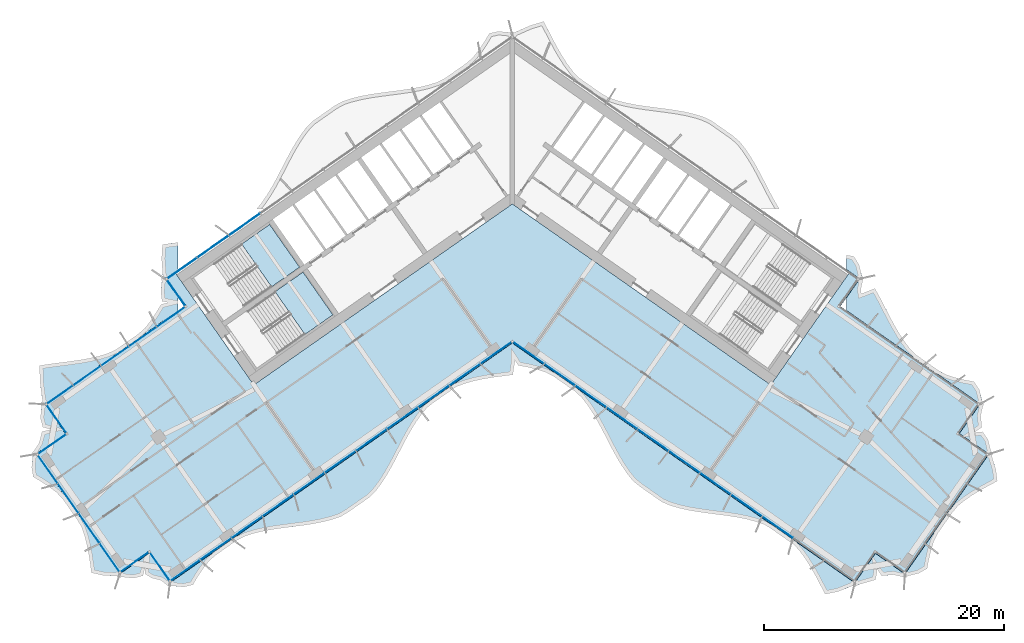
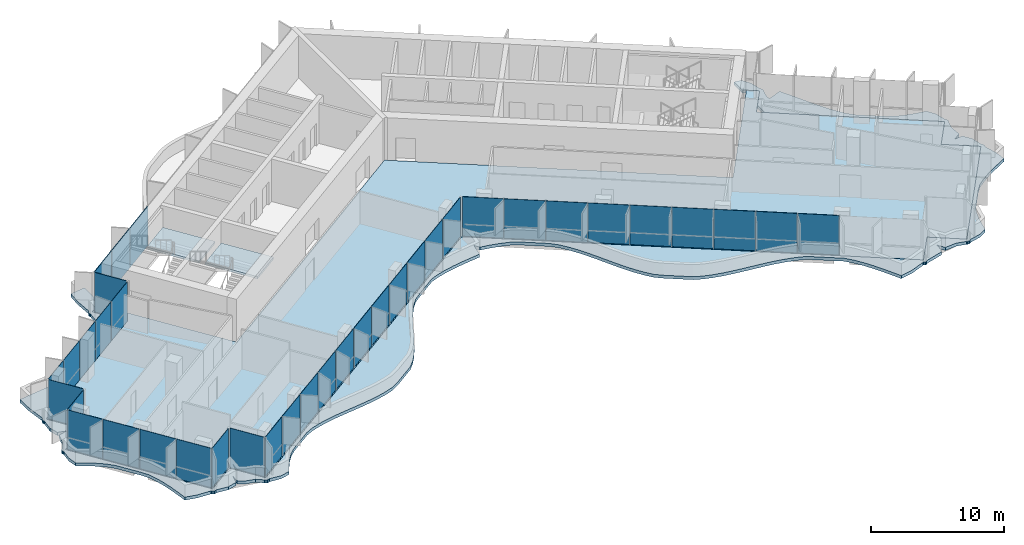
# One storey, part 10 of 22: 37 plates, 4 slabs, 4 elements without a shape of their own.
"""IFC4 building model written with IfcOpenShell, lengths in metres."""

from ifc_helpers import new_model, si_unit, direction, frame, origin, origin_2d, place, context, subcontext, project, spatial, polyline, rectangle, outline, extrude, material, layer, layer_set, type_object, element, aggregate, save


model = new_model("IFC4")

# Units and contexts
model_context = context("Model", 3, precision=1e-05, world=origin(), true_north=direction((0.0, 1.0)))
body_context = subcontext(model_context, "Body", "Model", "MODEL_VIEW")
ifc_project = project(units=[si_unit("LENGTHUNIT", "METRE"), si_unit("AREAUNIT", "SQUARE_METRE"), si_unit("VOLUMEUNIT", "CUBIC_METRE"), si_unit("PLANEANGLEUNIT", "RADIAN"), si_unit("MASSUNIT", "GRAM", prefix="KILO")], contexts=[model_context])

# Site, building, storey
site_placement = place(None, origin())
site = spatial("IfcSite", under=ifc_project, at=site_placement, CompositionType="ELEMENT")
building_placement = place(site_placement, origin())
building = spatial("IfcBuilding", under=site, at=building_placement, Name="Tel Ilan Convention Tower", CompositionType="ELEMENT")
storey_placement = place(building_placement, frame((0.0, 0.0, 135.89990234375)))
storey = spatial("IfcBuildingStorey", under=building, at=storey_placement, Name="L30", CompositionType="ELEMENT", Elevation=135.89990234375)

# Curtain wall, plates
ifc_material_1 = material(Name="Aluminium, bronze anodised", Category="aluminium")
curtain_wall_type_1 = type_object("IfcCurtainWallType", Name="CW4 STICK CURTAIN WALL, OFFICE TINTED GLASS", PredefinedType="NOTDEFINED", material=ifc_material_1)
curtain_wall_1_placement = place(storey_placement, origin())
curtain_wall_1 = element("IfcCurtainWall", 1, at=curtain_wall_1_placement, inside=storey, type_object=curtain_wall_type_1, Name="Curtain wall CW4-24.02", PredefinedType="NOTDEFINED")
ifc_material_2 = material(Name="Glass, bronze tinted, two-ply", Category="glass")
ifc_layer_1 = layer(ifc_material_2, 0.028076171875)
ifc_layer_set_1 = layer_set([ifc_layer_1], Name="CW GLASS PANEL 28")
plate_type_1 = type_object("IfcPlateType", Name="CW GLASS PANEL 28", PredefinedType="CURTAIN_PANEL", material=ifc_layer_set_1)
plate_1_placement = place(storey_placement, frame((-28.44677734375, -10.640625, 0.0), z_axis=(0.0, 0.0, 1.0), x_axis=(-0.819152044289, -0.573576436351, 0.0)))
plate_1 = element("IfcPlate", 2, at=plate_1_placement, type_object=plate_type_1, Name="Glass panel", PredefinedType="CURTAIN_PANEL", context=body_context, shape_type="SweptSolid", body=[
    extrude(rectangle(XDim=2.80908203125, YDim=0.028076171875, at=origin_2d()), origin(), (0.0, 0.0, 1.0), 3.6201171875),
])
plate_2_placement = place(storey_placement, frame((-30.784912109375, -12.278076171875, 0.0), z_axis=(0.0, 0.0, 1.0), x_axis=(-0.819152044289, -0.573576436351, 0.0)))
plate_2 = element("IfcPlate", 3, at=plate_2_placement, type_object=plate_type_1, Name="Glass panel", PredefinedType="CURTAIN_PANEL", context=body_context, shape_type="SweptSolid", body=[
    extrude(rectangle(XDim=2.780029296875, YDim=0.028076171875, at=origin_2d()), origin(), (0.0, 0.0, 1.0), 3.6201171875),
])
plate_3_placement = place(storey_placement, frame((-33.111328125, -13.906982421875, 0.0), z_axis=(0.0, 0.0, 1.0), x_axis=(-0.819152044289, -0.573576436351, 0.0)))
plate_3 = element("IfcPlate", 4, at=plate_3_placement, type_object=plate_type_1, Name="Glass panel", PredefinedType="CURTAIN_PANEL", context=body_context, shape_type="SweptSolid", body=[
    extrude(rectangle(XDim=2.780029296875, YDim=0.028076171875, at=origin_2d()), origin(), (0.0, 0.0, 1.0), 3.6201171875),
])
plate_4_placement = place(storey_placement, frame((-35.437744140625, -15.535888671875, 0.0), z_axis=(0.0, 0.0, 1.0), x_axis=(-0.819152044289, -0.573576436351, 0.0)))
plate_4 = element("IfcPlate", 5, at=plate_4_placement, type_object=plate_type_1, Name="Glass panel", PredefinedType="CURTAIN_PANEL", context=body_context, shape_type="SweptSolid", body=[
    extrude(rectangle(XDim=2.780029296875, YDim=0.028076171875, at=origin_2d()), origin(), (0.0, 0.0, 1.0), 3.6201171875),
])
plate_5_placement = place(storey_placement, frame((-37.7255859375, -17.137939453125, 0.0), z_axis=(0.0, 0.0, 1.0), x_axis=(-0.819152044289, -0.573576436351, 0.0)))
plate_5 = element("IfcPlate", 6, at=plate_5_placement, type_object=plate_type_1, Name="Glass panel", PredefinedType="CURTAIN_PANEL", context=body_context, shape_type="SweptSolid", body=[
    extrude(rectangle(XDim=2.68603515625, YDim=0.028076171875, at=origin_2d()), origin(), (0.0, 0.0, 1.0), 3.6201171875),
])
plate_6_placement = place(storey_placement, frame((-38.007080078125, -19.119140625, 0.0), z_axis=(0.0, 0.0, 1.0), x_axis=(0.573576436351, -0.819152044289, 0.0)))
plate_6 = element("IfcPlate", 7, at=plate_6_placement, type_object=plate_type_1, Name="Glass panel", PredefinedType="CURTAIN_PANEL", context=body_context, shape_type="SweptSolid", body=[
    extrude(rectangle(XDim=2.875, YDim=0.028076171875, at=origin_2d()), origin(), (0.0, 0.0, 1.0), 3.6201171875),
])
plate_7_placement = place(storey_placement, frame((-38.385009765625, -21.261962890625, 0.0), z_axis=(0.0, 0.0, 1.0), x_axis=(-0.819152044289, -0.573576436351, 0.0)))
plate_7 = element("IfcPlate", 8, at=plate_7_placement, type_object=plate_type_1, Name="Glass panel", PredefinedType="CURTAIN_PANEL", context=body_context, shape_type="SweptSolid", body=[
    extrude(rectangle(XDim=2.875, YDim=0.028076171875, at=origin_2d()), origin(), (0.0, 0.0, 1.0), 3.6201171875),
])
plate_8_placement = place(storey_placement, frame((-38.73779296875, -23.305908203125, 0.0), z_axis=(0.0, 0.0, 1.0), x_axis=(0.573576436351, -0.819152044289, 0.0)))
plate_8 = element("IfcPlate", 9, at=plate_8_placement, type_object=plate_type_1, Name="Glass panel", PredefinedType="CURTAIN_PANEL", context=body_context, shape_type="SweptSolid", body=[
    extrude(rectangle(XDim=2.89599609375, YDim=0.028076171875, at=origin_2d()), origin(), (0.0, 0.0, 1.0), 3.6201171875),
])
plate_9_placement = place(storey_placement, frame((-37.015380859375, -25.765869140625, 0.0), z_axis=(0.0, 0.0, 1.0), x_axis=(0.573576436351, -0.819152044289, 0.0)))
plate_9 = element("IfcPlate", 10, at=plate_9_placement, type_object=plate_type_1, Name="Glass panel", PredefinedType="CURTAIN_PANEL", context=body_context, shape_type="SweptSolid", body=[
    extrude(rectangle(XDim=2.989990234375, YDim=0.028076171875, at=origin_2d()), origin(), (0.0, 0.0, 1.0), 3.6201171875),
])
plate_10_placement = place(storey_placement, frame((-35.26611328125, -28.264404296875, 0.0), z_axis=(0.0, 0.0, 1.0), x_axis=(0.573576436351, -0.819152044289, 0.0)))
plate_10 = element("IfcPlate", 11, at=plate_10_placement, type_object=plate_type_1, Name="Glass panel", PredefinedType="CURTAIN_PANEL", context=body_context, shape_type="SweptSolid", body=[
    extrude(rectangle(XDim=2.989990234375, YDim=0.028076171875, at=origin_2d()), origin(), (0.0, 0.0, 1.0), 3.6201171875),
])
plate_11_placement = place(storey_placement, frame((-33.543701171875, -30.72412109375, 0.0), z_axis=(0.0, 0.0, 1.0), x_axis=(0.573576436351, -0.819152044289, 0.0)))
plate_11 = element("IfcPlate", 12, at=plate_11_placement, type_object=plate_type_1, Name="Glass panel", PredefinedType="CURTAIN_PANEL", context=body_context, shape_type="SweptSolid", body=[
    extrude(rectangle(XDim=2.89599609375, YDim=0.028076171875, at=origin_2d()), origin(), (0.0, 0.0, 1.0), 3.6201171875),
])
plate_12_placement = place(storey_placement, frame((-31.502197265625, -31.091796875, 0.0), z_axis=(0.0, 0.0, 1.0), x_axis=(0.819152044289, 0.573576436351, 0.0)))
plate_12 = element("IfcPlate", 13, at=plate_12_placement, type_object=plate_type_1, Name="Glass panel", PredefinedType="CURTAIN_PANEL", context=body_context, shape_type="SweptSolid", body=[
    extrude(rectangle(XDim=2.875, YDim=0.028076171875, at=origin_2d()), origin(), (0.0, 0.0, 1.0), 3.6201171875),
])
plate_13_placement = place(storey_placement, frame((-29.359375, -31.469482421875, 0.0), z_axis=(0.0, 0.0, 1.0), x_axis=(0.573576436351, -0.819152044289, 0.0)))
plate_13 = element("IfcPlate", 14, at=plate_13_placement, type_object=plate_type_1, Name="Glass panel", PredefinedType="CURTAIN_PANEL", context=body_context, shape_type="SweptSolid", body=[
    extrude(rectangle(XDim=2.875, YDim=0.028076171875, at=origin_2d()), origin(), (0.0, 0.0, 1.0), 3.6201171875),
])
plate_14_placement = place(storey_placement, frame((-27.26708984375, -31.78857421875, 0.0), z_axis=(0.0, 0.0, 1.0), x_axis=(0.819152044289, 0.573576436351, 0.0)))
plate_14 = element("IfcPlate", 15, at=plate_14_placement, type_object=plate_type_1, Name="Glass panel", PredefinedType="CURTAIN_PANEL", context=body_context, shape_type="SweptSolid", body=[
    extrude(rectangle(XDim=3.013916015625, YDim=0.028076171875, at=origin_2d()), origin(), (0.0, 0.0, 1.0), 3.6201171875),
])
plate_15_placement = place(storey_placement, frame((-24.71044921875, -29.99853515625, 0.0), z_axis=(0.0, 0.0, 1.0), x_axis=(0.819152044289, 0.573576436351, 0.0)))
plate_15 = element("IfcPlate", 16, at=plate_15_placement, type_object=plate_type_1, Name="Glass panel", PredefinedType="CURTAIN_PANEL", context=body_context, shape_type="SweptSolid", body=[
    extrude(rectangle(XDim=3.10791015625, YDim=0.028076171875, at=origin_2d()), origin(), (0.0, 0.0, 1.0), 3.6201171875),
])
plate_16_placement = place(storey_placement, frame((-22.115478515625, -28.181396484375, 0.0), z_axis=(0.0, 0.0, 1.0), x_axis=(0.819152044289, 0.573576436351, 0.0)))
plate_16 = element("IfcPlate", 17, at=plate_16_placement, type_object=plate_type_1, Name="Glass panel", PredefinedType="CURTAIN_PANEL", context=body_context, shape_type="SweptSolid", body=[
    extrude(rectangle(XDim=3.10791015625, YDim=0.028076171875, at=origin_2d()), origin(), (0.0, 0.0, 1.0), 3.6201171875),
])
plate_17_placement = place(storey_placement, frame((-19.520263671875, -26.3642578125, 0.0), z_axis=(0.0, 0.0, 1.0), x_axis=(0.819152044289, 0.573576436351, 0.0)))
plate_17 = element("IfcPlate", 18, at=plate_17_placement, type_object=plate_type_1, Name="Glass panel", PredefinedType="CURTAIN_PANEL", context=body_context, shape_type="SweptSolid", body=[
    extrude(rectangle(XDim=3.10791015625, YDim=0.028076171875, at=origin_2d()), origin(), (0.0, 0.0, 1.0), 3.6201171875),
])
plate_18_placement = place(storey_placement, frame((-16.92529296875, -24.54736328125, 0.0), z_axis=(0.0, 0.0, 1.0), x_axis=(0.819152044289, 0.573576436351, 0.0)))
plate_18 = element("IfcPlate", 19, at=plate_18_placement, type_object=plate_type_1, Name="Glass panel", PredefinedType="CURTAIN_PANEL", context=body_context, shape_type="SweptSolid", body=[
    extrude(rectangle(XDim=3.10791015625, YDim=0.028076171875, at=origin_2d()), origin(), (0.0, 0.0, 1.0), 3.6201171875),
])
plate_19_placement = place(storey_placement, frame((-14.330078125, -22.730224609375, 0.0), z_axis=(0.0, 0.0, 1.0), x_axis=(0.819152044289, 0.573576436351, 0.0)))
plate_19 = element("IfcPlate", 20, at=plate_19_placement, type_object=plate_type_1, Name="Glass panel", PredefinedType="CURTAIN_PANEL", context=body_context, shape_type="SweptSolid", body=[
    extrude(rectangle(XDim=3.10791015625, YDim=0.028076171875, at=origin_2d()), origin(), (0.0, 0.0, 1.0), 3.6201171875),
])
plate_20_placement = place(storey_placement, frame((-11.735107421875, -20.9130859375, 0.0), z_axis=(0.0, 0.0, 1.0), x_axis=(0.819152044289, 0.573576436351, 0.0)))
plate_20 = element("IfcPlate", 21, at=plate_20_placement, type_object=plate_type_1, Name="Glass panel", PredefinedType="CURTAIN_PANEL", context=body_context, shape_type="SweptSolid", body=[
    extrude(rectangle(XDim=3.10791015625, YDim=0.028076171875, at=origin_2d()), origin(), (0.0, 0.0, 1.0), 3.6201171875),
])
plate_21_placement = place(storey_placement, frame((-9.14013671875, -19.095947265625, 0.0), z_axis=(0.0, 0.0, 1.0), x_axis=(0.819152044289, 0.573576436351, 0.0)))
plate_21 = element("IfcPlate", 22, at=plate_21_placement, type_object=plate_type_1, Name="Glass panel", PredefinedType="CURTAIN_PANEL", context=body_context, shape_type="SweptSolid", body=[
    extrude(rectangle(XDim=3.10791015625, YDim=0.028076171875, at=origin_2d()), origin(), (0.0, 0.0, 1.0), 3.6201171875),
])
plate_22_placement = place(storey_placement, frame((-6.544921875, -17.27880859375, 0.0), z_axis=(0.0, 0.0, 1.0), x_axis=(0.819152044289, 0.573576436351, 0.0)))
plate_22 = element("IfcPlate", 23, at=plate_22_placement, type_object=plate_type_1, Name="Glass panel", PredefinedType="CURTAIN_PANEL", context=body_context, shape_type="SweptSolid", body=[
    extrude(rectangle(XDim=3.10791015625, YDim=0.028076171875, at=origin_2d()), origin(), (0.0, 0.0, 1.0), 3.6201171875),
])
plate_23_placement = place(storey_placement, frame((-3.949951171875, -15.4619140625, 0.0), z_axis=(0.0, 0.0, 1.0), x_axis=(0.819152044289, 0.573576436351, 0.0)))
plate_23 = element("IfcPlate", 24, at=plate_23_placement, type_object=plate_type_1, Name="Glass panel", PredefinedType="CURTAIN_PANEL", context=body_context, shape_type="SweptSolid", body=[
    extrude(rectangle(XDim=3.10791015625, YDim=0.028076171875, at=origin_2d()), origin(), (0.0, 0.0, 1.0), 3.6201171875),
])
plate_24_placement = place(storey_placement, frame((-1.355224609375, -13.64501953125, 0.0), z_axis=(0.0, 0.0, 1.0), x_axis=(0.819152044289, 0.573576436351, 0.0)))
plate_24 = element("IfcPlate", 25, at=plate_24_placement, type_object=plate_type_1, Name="Glass panel", PredefinedType="CURTAIN_PANEL", context=body_context, shape_type="SweptSolid", body=[
    extrude(rectangle(XDim=3.10693359375, YDim=0.028076171875, at=origin_2d()), origin(), (0.0, 0.0, 1.0), 3.6201171875),
])
plate_25_placement = place(storey_placement, frame((1.366943359375, -13.653076171875, 0.0), z_axis=(0.0, 0.0, 1.0), x_axis=(0.819152044289, -0.573576436351, 0.0)))
plate_25 = element("IfcPlate", 26, at=plate_25_placement, type_object=plate_type_1, Name="Glass panel", PredefinedType="CURTAIN_PANEL", context=body_context, shape_type="SweptSolid", body=[
    extrude(rectangle(XDim=3.078857421875, YDim=0.028076171875, at=origin_2d()), origin(), (0.0, 0.0, 1.0), 3.6201171875),
])
plate_26_placement = place(storey_placement, frame((3.949951171875, -15.4619140625, 0.0), z_axis=(0.0, 0.0, 1.0), x_axis=(0.819152044289, -0.573576436351, 0.0)))
plate_26 = element("IfcPlate", 27, at=plate_26_placement, type_object=plate_type_1, Name="Glass panel", PredefinedType="CURTAIN_PANEL", context=body_context, shape_type="SweptSolid", body=[
    extrude(rectangle(XDim=3.10791015625, YDim=0.028076171875, at=origin_2d()), origin(), (0.0, 0.0, 1.0), 3.6201171875),
])
plate_27_placement = place(storey_placement, frame((6.544921875, -17.27880859375, 0.0), z_axis=(0.0, 0.0, 1.0), x_axis=(0.819152044289, -0.573576436351, 0.0)))
plate_27 = element("IfcPlate", 28, at=plate_27_placement, type_object=plate_type_1, Name="Glass panel", PredefinedType="CURTAIN_PANEL", context=body_context, shape_type="SweptSolid", body=[
    extrude(rectangle(XDim=3.10791015625, YDim=0.028076171875, at=origin_2d()), origin(), (0.0, 0.0, 1.0), 3.6201171875),
])
plate_28_placement = place(storey_placement, frame((9.14013671875, -19.095947265625, 0.0), z_axis=(0.0, 0.0, 1.0), x_axis=(0.819152044289, -0.573576436351, 0.0)))
plate_28 = element("IfcPlate", 29, at=plate_28_placement, type_object=plate_type_1, Name="Glass panel", PredefinedType="CURTAIN_PANEL", context=body_context, shape_type="SweptSolid", body=[
    extrude(rectangle(XDim=3.10791015625, YDim=0.028076171875, at=origin_2d()), origin(), (0.0, 0.0, 1.0), 3.6201171875),
])
plate_29_placement = place(storey_placement, frame((11.735107421875, -20.9130859375, 0.0), z_axis=(0.0, 0.0, 1.0), x_axis=(0.819152044289, -0.573576436351, 0.0)))
plate_29 = element("IfcPlate", 30, at=plate_29_placement, type_object=plate_type_1, Name="Glass panel", PredefinedType="CURTAIN_PANEL", context=body_context, shape_type="SweptSolid", body=[
    extrude(rectangle(XDim=3.10791015625, YDim=0.028076171875, at=origin_2d()), origin(), (0.0, 0.0, 1.0), 3.6201171875),
])
plate_30_placement = place(storey_placement, frame((14.330078125, -22.730224609375, 0.0), z_axis=(0.0, 0.0, 1.0), x_axis=(0.819152044289, -0.573576436351, 0.0)))
plate_30 = element("IfcPlate", 31, at=plate_30_placement, type_object=plate_type_1, Name="Glass panel", PredefinedType="CURTAIN_PANEL", context=body_context, shape_type="SweptSolid", body=[
    extrude(rectangle(XDim=3.10791015625, YDim=0.028076171875, at=origin_2d()), origin(), (0.0, 0.0, 1.0), 3.6201171875),
])
plate_31_placement = place(storey_placement, frame((16.92529296875, -24.54736328125, 0.0), z_axis=(0.0, 0.0, 1.0), x_axis=(0.819152044289, -0.573576436351, 0.0)))
plate_31 = element("IfcPlate", 32, at=plate_31_placement, type_object=plate_type_1, Name="Glass panel", PredefinedType="CURTAIN_PANEL", context=body_context, shape_type="SweptSolid", body=[
    extrude(rectangle(XDim=3.10791015625, YDim=0.028076171875, at=origin_2d()), origin(), (0.0, 0.0, 1.0), 3.6201171875),
])
plate_32_placement = place(storey_placement, frame((19.520263671875, -26.3642578125, 0.0), z_axis=(0.0, 0.0, 1.0), x_axis=(0.819152044289, -0.573576436351, 0.0)))
plate_32 = element("IfcPlate", 33, at=plate_32_placement, type_object=plate_type_1, Name="Glass panel", PredefinedType="CURTAIN_PANEL", context=body_context, shape_type="SweptSolid", body=[
    extrude(rectangle(XDim=3.10791015625, YDim=0.028076171875, at=origin_2d()), origin(), (0.0, 0.0, 1.0), 3.6201171875),
])
plate_33_placement = place(storey_placement, frame((22.115478515625, -28.181396484375, 0.0), z_axis=(0.0, 0.0, 1.0), x_axis=(0.819152044289, -0.573576436351, 0.0)))
plate_33 = element("IfcPlate", 34, at=plate_33_placement, type_object=plate_type_1, Name="Glass panel", PredefinedType="CURTAIN_PANEL", context=body_context, shape_type="SweptSolid", body=[
    extrude(rectangle(XDim=3.10791015625, YDim=0.028076171875, at=origin_2d()), origin(), (0.0, 0.0, 1.0), 3.6201171875),
])
aggregate(curtain_wall_1, [plate_1, plate_2, plate_3, plate_4, plate_5, plate_6, plate_7, plate_8, plate_9, plate_10, plate_11, plate_12, plate_13, plate_14, plate_15, plate_16, plate_17, plate_18, plate_19, plate_20, plate_21, plate_22, plate_23, plate_24, plate_25, plate_26, plate_27, plate_28, plate_29, plate_30, plate_31, plate_32, plate_33])

ifc_material_3 = material(Name="Aluminium, bronze anodised", Category="aluminium")
curtain_wall_type_2 = type_object("IfcCurtainWallType", Name="CW2 STICK CURTAIN WALL, SPANDREL PANELS", PredefinedType="NOTDEFINED", material=ifc_material_3)
curtain_wall_2_placement = place(storey_placement, origin())
curtain_wall_2 = element("IfcCurtainWall", 35, at=curtain_wall_2_placement, inside=storey, type_object=curtain_wall_type_2, Name="Curtain wall CW2-24.01", PredefinedType="NOTDEFINED")
ifc_material_4 = material(Name="Aluminium composite panel, bronze anodised", Category="aluminium")
ifc_layer_2 = layer(ifc_material_4, 0.06005859375)
ifc_layer_set_2 = layer_set([ifc_layer_2], Name="CW SPANDREL PANEL 60")
plate_type_2 = type_object("IfcPlateType", Name="CW SPANDREL PANEL 60", PredefinedType="CURTAIN_PANEL", material=ifc_layer_set_2)
plate_34_placement = place(storey_placement, frame((-22.31982421875, -2.9326171875, 0.0), z_axis=(0.0, 0.0, 1.0), x_axis=(-0.819152044289, -0.573576436351, 0.0)))
plate_34 = element("IfcPlate", 36, at=plate_34_placement, type_object=plate_type_2, Name="Spandrel panel", PredefinedType="CURTAIN_PANEL", context=body_context, shape_type="SweptSolid", body=[
    extrude(rectangle(XDim=3.15380859375, YDim=0.06005859375, at=origin_2d()), origin(), (0.0, 0.0, 1.0), 3.6201171875),
])
plate_35_placement = place(storey_placement, frame((-24.95263671875, -4.77587890625, 0.0), z_axis=(0.0, 0.0, 1.0), x_axis=(-0.819152044289, -0.573576436351, 0.0)))
plate_35 = element("IfcPlate", 37, at=plate_35_placement, type_object=plate_type_2, Name="Spandrel panel", PredefinedType="CURTAIN_PANEL", context=body_context, shape_type="SweptSolid", body=[
    extrude(rectangle(XDim=3.15380859375, YDim=0.06005859375, at=origin_2d()), origin(), (0.0, 0.0, 1.0), 3.6201171875),
])
plate_36_placement = place(storey_placement, frame((-27.5400390625, -6.587646484375, 0.0), z_axis=(0.0, 0.0, 1.0), x_axis=(-0.819152044289, -0.573576436351, 0.0)))
plate_36 = element("IfcPlate", 38, at=plate_36_placement, type_object=plate_type_2, Name="Spandrel panel", PredefinedType="CURTAIN_PANEL", context=body_context, shape_type="SweptSolid", body=[
    extrude(rectangle(XDim=3.0439453125, YDim=0.06005859375, at=origin_2d()), origin(), (0.0, 0.0, 1.0), 3.6201171875),
])
plate_37_placement = place(storey_placement, frame((-28.033935546875, -8.60546875, 0.0), z_axis=(0.0, 0.0, 1.0), x_axis=(0.573576436351, -0.819152044289, 0.0)))
plate_37 = element("IfcPlate", 39, at=plate_37_placement, type_object=plate_type_2, Name="Spandrel panel", PredefinedType="CURTAIN_PANEL", context=body_context, shape_type="SweptSolid", body=[
    extrude(rectangle(XDim=2.658935546875, YDim=0.06005859375, at=origin_2d()), origin(), (0.0, 0.0, 1.0), 3.6201171875),
])
aggregate(curtain_wall_2, [plate_34, plate_35, plate_36, plate_37])

# Stair, slab
ifc_material_5 = material(Name="Concrete C40/50", Category="concrete")
stair_type = type_object("IfcStairType", Name="Pressurised Exit Stair 22 risers 177 mm", PredefinedType="HALF_TURN_STAIR", material=ifc_material_5)
stair_1_placement = place(storey_placement, origin())
stair_1 = element("IfcStair", 40, at=stair_1_placement, inside=storey, type_object=stair_type, Name="L30 Pressurised Stair S1", PredefinedType="HALF_TURN_STAIR")
ifc_material_6 = material(Name="Concrete C40/50", Category="concrete")
ifc_layer_3 = layer(ifc_material_6, 0.199951171875)
ifc_layer_set_3 = layer_set([ifc_layer_3], Name="Concrete Stair Landing 200 mm C40/50")
slab_type_1 = type_object("IfcSlabType", Name="Concrete Stair Landing 200 mm", PredefinedType="LANDING", material=ifc_layer_set_3)
slab_1_placement = place(storey_placement, frame((0.0, 0.0, 1.75)))
slab_1 = element("IfcSlab", 41, at=slab_1_placement, type_object=slab_type_1, Name="S1 landing 1", PredefinedType="LANDING", context=body_context, shape_type="SweptSolid", body=[
    extrude(outline(polyline([(-20.066650390625, -8.130126953125), (-17.7314453125, -6.494873046875), (-20.226318359375, -2.931640625), (-22.561767578125, -4.566650390625), (-20.066650390625, -8.130126953125)])), origin(), (0.0, 0.0, 1.0), 0.2001953125),
])
aggregate(stair_1, [slab_1])

stair_2_placement = place(storey_placement, origin())
stair_2 = element("IfcStair", 42, at=stair_2_placement, inside=storey, type_object=stair_type, Name="L30 Pressurised Stair S2", PredefinedType="HALF_TURN_STAIR")
slab_2_placement = place(storey_placement, frame((0.0, 0.0, 1.75)))
slab_2 = element("IfcSlab", 43, at=slab_2_placement, type_object=slab_type_1, Name="S2 landing 1", PredefinedType="LANDING", context=body_context, shape_type="SweptSolid", body=[
    extrude(outline(polyline([(-17.28466796875, -12.10302734375), (-14.949462890625, -10.4677734375), (-17.444580078125, -6.904541015625), (-19.77978515625, -8.53955078125), (-17.28466796875, -12.10302734375)])), origin(), (0.0, 0.0, 1.0), 0.2001953125),
])
aggregate(stair_2, [slab_2])

# Slabs
ifc_material_7 = material(Name="Concrete C40/50", Category="concrete")
ifc_layer_4 = layer(ifc_material_7, 0.280029296875)
ifc_layer_set_4 = layer_set([ifc_layer_4], Name="Edge Ledge Slab 280 mm C40/50")
slab_type_2 = type_object("IfcSlabType", Name="Edge Ledge Slab 280 mm C40/50", PredefinedType="FLOOR", material=ifc_layer_set_4)
slab_3_placement = place(storey_placement, frame((0.0, 0.0, -0.27978515625)))
element("IfcSlab", 44, at=slab_3_placement, inside=storey, type_object=slab_type_2, Name="L30 edge ledge 1", PredefinedType="FLOOR", context=body_context, shape_type="SweptSolid", body=[
    extrude(outline(polyline([(-31.562744140625, -32.420166015625), (-32.5517578125, -32.31494140625), (-32.554931640625, -32.310302734375), (-32.60888671875, -32.346435546875), (-32.723876953125, -32.369384765625), (-32.838623046875, -32.346435546875), (-32.93603515625, -32.281494140625), (-32.96484375, -32.238037109375), (-32.969482421875, -32.241455078125), (-34.1298828125, -32.177734375), (-35.07666015625, -31.964599609375), (-35.189697265625, -31.16748046875), (-35.312744140625, -30.377685546875), (-35.46484375, -29.608154296875), (-35.656982421875, -28.86669921875), (-35.8984375, -28.15966796875), (-36.2626953125, -27.53857421875), (-37.49755859375, -25.77490234375), (-38.006591796875, -25.25537109375), (-38.60546875, -24.798583984375), (-39.250732421875, -24.374267578125), (-39.92822265625, -23.97265625), (-40.0625, -23.190673828125), (-39.96728515625, -22.247802734375), (-39.962646484375, -22.244384765625), (-39.99853515625, -22.1904296875), (-40.021484375, -22.07568359375), (-39.99853515625, -21.960693359375), (-39.93359375, -21.863525390625), (-39.890380859375, -21.834716796875), (-39.8935546875, -21.829833984375), (-39.44873046875, -21.157470703125), (-39.19921875, -20.20654296875), (-38.452392578125, -20.01123046875), (-39.13330078125, -19.83251953125), (-39.33544921875, -19.05859375), (-39.23046875, -18.069580078125), (-39.225830078125, -18.06640625), (-39.261962890625, -18.01220703125), (-39.284912109375, -17.8974609375), (-39.261962890625, -17.78271484375), (-39.197021484375, -17.685302734375), (-39.153564453125, -17.656494140625), (-39.15673828125, -17.651611328125), (-39.369873046875, -16.044677734375), (-39.404052734375, -14.692626953125), (-38.58203125, -14.563720703125), (-37.746826171875, -14.453369140625), (-36.90869140625, -14.34716796875), (-36.078125, -14.23046875), (-35.2646484375, -14.089111328125), (-34.477783203125, -13.91015625), (-33.72509765625, -13.68212890625), (-33.03466796875, -13.364990234375), (-31.197998046875, -12.0791015625), (-30.631591796875, -11.585205078125), (-30.14892578125, -10.971435546875), (-29.70263671875, -10.305908203125), (-29.284912109375, -9.59912109375), (-28.654296875, -9.439208984375), (-29.194091796875, -9.332763671875), (-29.29443359375, -8.548583984375), (-29.20458984375, -7.631103515625), (-29.199951171875, -7.6279296875), (-29.236083984375, -7.57373046875), (-29.2587890625, -7.458984375), (-29.236083984375, -7.34423828125), (-29.1708984375, -7.246826171875), (-29.127685546875, -7.218017578125), (-29.130859375, -7.21337890625), (-29.231689453125, -5.78515625), (-29.161865234375, -4.60107421875), (-28.33935546875, -4.49169921875), (-27.875, -4.4326171875), (-27.875, -6.7001953125), (-28.958740234375, -7.458984375), (-27.875, -9.007080078125), (-27.875, -10.1181640625), (-38.98486328125, -17.8974609375), (-37.263916015625, -20.35498046875), (-39.721435546875, -22.07568359375), (-32.723876953125, -32.0693359375), (-30.266357421875, -30.3486328125), (-28.545654296875, -32.805908203125), (0.0, -12.818115234375), (28.545654296875, -32.805908203125), (30.266357421875, -30.3486328125), (32.723876953125, -32.0693359375), (39.721435546875, -22.07568359375), (37.263916015625, -20.35498046875), (38.98486328125, -17.8974609375), (27.875, -10.1181640625), (27.875, -9.007080078125), (28.958740234375, -7.458984375), (27.875, -6.7001953125), (27.875, -5.485595703125), (28.465576171875, -5.595458984375), (28.894287109375, -6.267333984375), (29.130859375, -7.21337890625), (29.127685546875, -7.218017578125), (29.1708984375, -7.246826171875), (29.236083984375, -7.34423828125), (29.2587890625, -7.458984375), (29.236083984375, -7.57373046875), (29.199951171875, -7.6279296875), (29.20458984375, -7.631103515625), (29.044921875, -8.373779296875), (29.09619140625, -8.70458984375), (30.220947265625, -8.2626953125), (30.623291015625, -8.990966796875), (31.012451171875, -9.738037109375), (31.39892578125, -10.4892578125), (31.792724609375, -11.229736328125), (32.20361328125, -11.94580078125), (32.64111328125, -12.6240234375), (33.11279296875, -13.25341796875), (33.64697265625, -13.793701171875), (35.483642578125, -15.07958984375), (36.1416015625, -15.443115234375), (36.88330078125, -15.686767578125), (37.661376953125, -15.878662109375), (38.468017578125, -16.029296875), (38.917724609375, -16.690185546875), (39.15673828125, -17.651611328125), (39.153564453125, -17.656494140625), (39.197021484375, -17.685302734375), (39.261962890625, -17.78271484375), (39.284912109375, -17.8974609375), (39.261962890625, -18.01220703125), (39.225830078125, -18.06640625), (39.23046875, -18.069580078125), (39.04248046875, -18.853515625), (39.13330078125, -19.83251953125), (38.498291015625, -20.271484375), (39.19921875, -20.20654296875), (39.654052734375, -20.864501953125), (39.8935546875, -21.829833984375), (39.890380859375, -21.834716796875), (39.93359375, -21.863525390625), (39.99853515625, -21.960693359375), (40.021484375, -22.07568359375), (39.99853515625, -22.1904296875), (39.962646484375, -22.244384765625), (39.96728515625, -22.247802734375), (40.30419921875, -23.359619140625), (40.427734375, -24.322509765625), (39.717529296875, -24.701171875), (39.017333984375, -25.0869140625), (38.34619140625, -25.4931640625), (37.71533203125, -25.927490234375), (37.13330078125, -26.39599609375), (36.67431640625, -26.95068359375), (35.439208984375, -28.714111328125), (35.125244140625, -29.370361328125), (34.90087890625, -30.08935546875), (34.722900390625, -30.8408203125), (34.5771484375, -31.61474609375), (33.88818359375, -32.008544921875), (32.969482421875, -32.241455078125), (32.96484375, -32.238037109375), (32.93603515625, -32.281494140625), (32.838623046875, -32.346435546875), (32.723876953125, -32.369384765625), (32.60888671875, -32.346435546875), (32.554931640625, -32.310302734375), (32.5517578125, -32.31494140625), (31.767822265625, -32.127197265625), (30.788818359375, -32.2177734375), (30.372802734375, -31.6162109375), (30.40380859375, -31.909912109375), (30.27099609375, -32.54931640625), (29.534912109375, -32.76611328125), (28.79150390625, -32.97802734375), (28.78662109375, -32.974853515625), (28.7578125, -33.018310546875), (28.660400390625, -33.083251953125), (28.545654296875, -33.10595703125), (28.430908203125, -33.083251953125), (28.376953125, -33.047119140625), (28.37353515625, -33.0517578125), (27.125, -33.542236328125), (26.07373046875, -33.750732421875), (25.690185546875, -33.005859375), (25.30224609375, -32.267578125), (24.899169921875, -31.550537109375), (24.47216796875, -30.86767578125), (24.012939453125, -30.230712890625), (23.514892578125, -29.649658203125), (21.692626953125, -28.373779296875), (21.069091796875, -27.9716796875), (20.344970703125, -27.71337890625), (19.5830078125, -27.5087890625), (18.790283203125, -27.347900390625), (17.975341796875, -27.21923828125), (17.147216796875, -27.109619140625), (16.315673828125, -27.00439453125), (15.490966796875, -26.889404296875), (14.6826171875, -26.751220703125), (13.899658203125, -26.57666015625), (13.14990234375, -26.3544921875), (12.454345703125, -26.0556640625), (10.632080078125, -24.77978515625), (10.057373046875, -24.30810546875), (9.573486328125, -23.706298828125), (9.126220703125, -23.052490234375), (8.70849609375, -22.3564453125), (8.3115234375, -21.630615234375), (7.92626953125, -20.88818359375), (7.542724609375, -20.143310546875), (7.150634765625, -19.41064453125), (6.74072265625, -18.703369140625), (6.303955078125, -18.034423828125), (5.832763671875, -17.414794921875), (5.294189453125, -16.891357421875), (3.47216796875, -15.615478515625), (2.814697265625, -15.26171875), (2.077392578125, -15.02197265625), (1.3046875, -14.8330078125), (0.50390625, -14.683837890625), (0.201416015625, -14.223388671875), (0.2060546875, -14.40478515625), (0.04248046875, -15.464111328125), (-0.788818359375, -15.569580078125), (-1.615234375, -15.681884765625), (-2.427001953125, -15.815185546875), (-3.214599609375, -15.983154296875), (-3.97021484375, -16.19677734375), (-4.686767578125, -16.466064453125), (-6.5087890625, -17.741943359375), (-7.10009765625, -18.190185546875), (-7.59033203125, -18.782470703125), (-8.043212890625, -19.428466796875), (-8.46533203125, -20.118408203125), (-8.864990234375, -20.840087890625), (-9.25146484375, -21.580810546875), (-9.634765625, -22.326416015625), (-10.024658203125, -23.06201171875), (-10.43115234375, -23.7744140625), (-10.86279296875, -24.4501953125), (-11.327880859375, -25.078857421875), (-11.846923828125, -25.63037109375), (-13.6689453125, -26.906005859375), (-14.308837890625, -27.284912109375), (-15.039794921875, -27.53369140625), (-15.80712890625, -27.73046875), (-16.60400390625, -27.885009765625), (-17.421875, -28.009765625), (-18.251220703125, -28.117919921875), (-19.08251953125, -28.2236328125), (-19.905029296875, -28.34130859375), (-20.7099609375, -28.484619140625), (-21.48779296875, -28.666259765625), (-22.2314453125, -28.897216796875), (-22.907470703125, -29.224365234375), (-24.7294921875, -30.5), (-25.286865234375, -30.996826171875), (-25.76416015625, -31.607666015625), (-26.2060546875, -32.269287109375), (-26.6201171875, -32.970703125), (-27.396484375, -33.154296875), (-28.37353515625, -33.0517578125), (-28.376953125, -33.047119140625), (-28.430908203125, -33.083251953125), (-28.545654296875, -33.10595703125), (-28.660400390625, -33.083251953125), (-28.7578125, -33.018310546875), (-28.78662109375, -32.974853515625), (-28.79150390625, -32.97802734375), (-29.2880859375, -32.593505859375), (-30.059814453125, -32.4013671875), (-30.615234375, -32.057861328125), (-30.573974609375, -31.399658203125), (-30.788818359375, -32.2177734375), (-31.562744140625, -32.420166015625)])), origin(), (0.0, 0.0, 1.0), 0.27978515625),
])
ifc_material_8 = material(Name="Concrete C40/50", Category="concrete")
ifc_layer_5 = layer(ifc_material_8, 0.280029296875)
ifc_layer_set_5 = layer_set([ifc_layer_5], Name="Flat Plate Floor Slab 280 mm C40/50")
slab_type_3 = type_object("IfcSlabType", Name="Flat Plate Floor Slab 280 mm C40/50", PredefinedType="FLOOR", material=ifc_layer_set_5)
slab_4_placement = place(storey_placement, frame((0.0, 0.0, -0.27978515625)))
element("IfcSlab", 45, at=slab_4_placement, inside=storey, type_object=slab_type_3, Name="L30 floor slab", PredefinedType="FLOOR", context=body_context, shape_type="SweptSolid", body=[
    extrude(outline(polyline([(21.54345703125, -16.3056640625), (28.1396484375, -6.885498046875), (28.958740234375, -7.458984375), (27.352783203125, -9.752685546875), (38.98486328125, -17.8974609375), (37.263916015625, -20.35498046875), (39.721435546875, -22.07568359375), (32.723876953125, -32.0693359375), (30.266357421875, -30.3486328125), (28.545654296875, -32.805908203125), (0.0, -12.818115234375), (-28.545654296875, -32.805908203125), (-30.266357421875, -30.3486328125), (-32.723876953125, -32.0693359375), (-39.721435546875, -22.07568359375), (-37.263916015625, -20.35498046875), (-38.98486328125, -17.8974609375), (-27.352783203125, -9.752685546875), (-28.958740234375, -7.458984375), (-28.1396484375, -6.885498046875), (-21.54345703125, -16.3056640625), (0.0, -1.220703125), (21.54345703125, -16.3056640625)])), origin(), (0.0, 0.0, 1.0), 0.27978515625),
])

save(model, "model.ifc")
